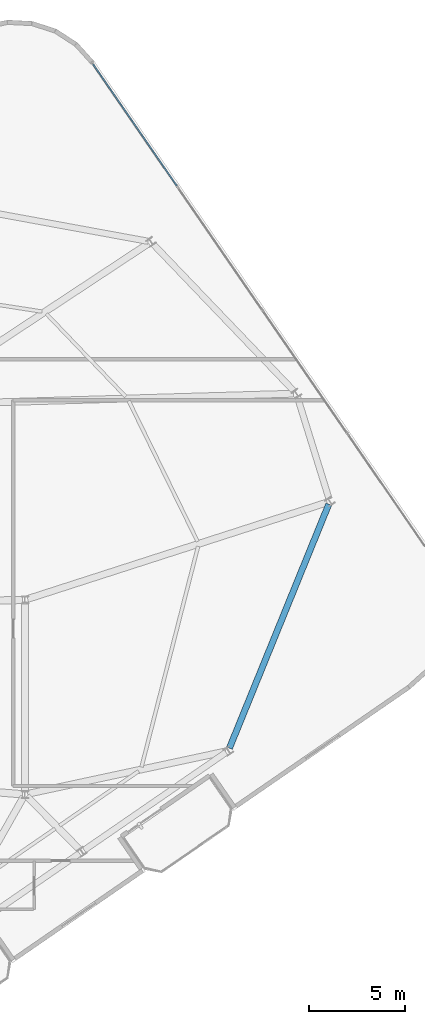
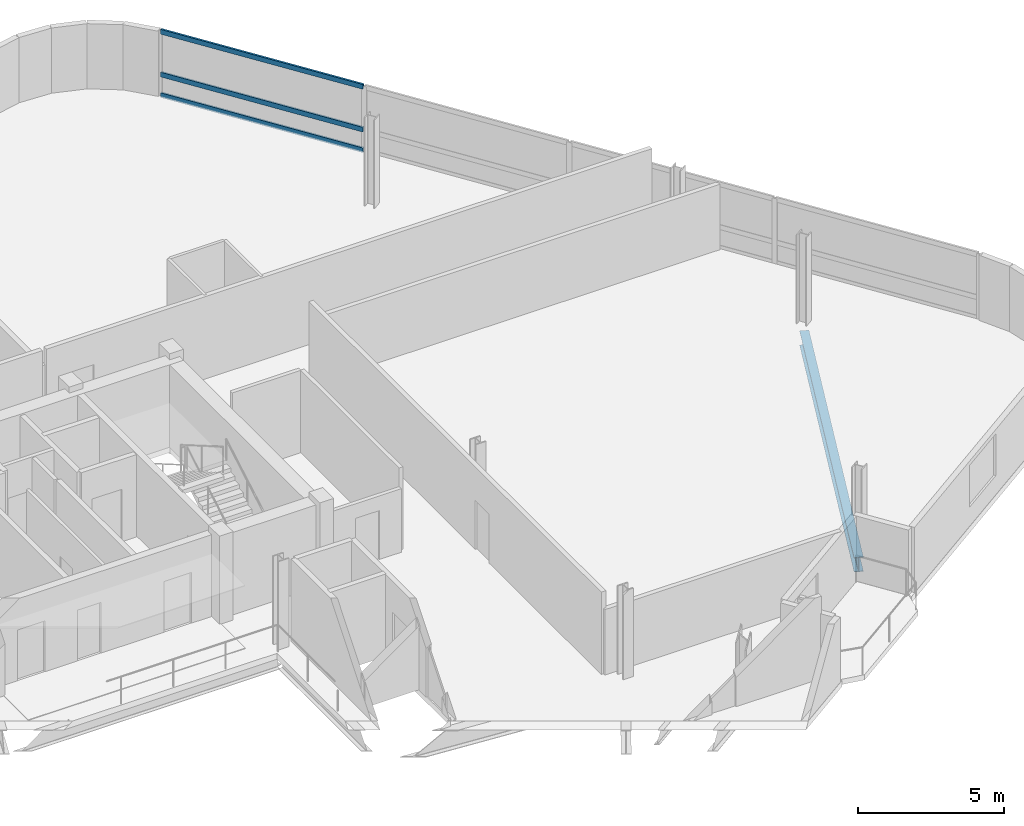
# One storey, part 10 of 21: 3 members, 1 beam, 1 element without a shape of its own.
"""IFC4 building model written with IfcOpenShell, lengths in metres."""

from ifc_helpers import new_model, si_unit, direction, frame, origin, origin_2d, place, context, subcontext, project, spatial, hollow_rectangle, i_section, extrude, material, layer, layer_set, material_profile, profile_set, type_object, element, aggregate, save


model = new_model("IFC4")

# Units and contexts
model_context = context("Model", 3, precision=1e-05, world=origin(), true_north=direction((0.0, 1.0)))
body_context = subcontext(model_context, "Body", "Model", "MODEL_VIEW")
ifc_project = project(units=[si_unit("LENGTHUNIT", "METRE"), si_unit("AREAUNIT", "SQUARE_METRE"), si_unit("VOLUMEUNIT", "CUBIC_METRE"), si_unit("PLANEANGLEUNIT", "RADIAN"), si_unit("MASSUNIT", "GRAM", prefix="KILO")], contexts=[model_context])

# Site, building, storey
site_placement = place(None, origin())
site = spatial("IfcSite", under=ifc_project, at=site_placement, CompositionType="ELEMENT")
building_placement = place(site_placement, origin())
building = spatial("IfcBuilding", under=site, at=building_placement, Name="Varnelok Gate Tower", CompositionType="ELEMENT")
storey_placement = place(building_placement, frame((0.0, 0.0, 261.89990234375)))
storey = spatial("IfcBuildingStorey", under=building, at=storey_placement, Name="L67", CompositionType="ELEMENT", Elevation=261.89990234375)

# Beam
ifc_material_1 = material(Name="Structural Steel ASTM A992 Grade 50", Category="steel")
ifc_material_profile_1 = material_profile(ifc_material_1, i_section(OverallWidth=0.323974609375, OverallDepth=0.611083984375, WebThickness=0.0126953125, FlangeThickness=0.01904296875, FilletRadius=0.01806640625, at=origin_2d()), Name="W24X104")
ifc_profile_set_1 = profile_set([ifc_material_profile_1], Name="Structural Steel ASTM A992 Grade 50")
beam_type = type_object("IfcBeamType", Name="BM-SPN-W24X104", PredefinedType="SPANDREL", material=ifc_profile_set_1)
beam_placement = place(storey_placement, frame((64.634765625, 21.20849609375, -0.555419921875), z_axis=(0.377167779659, 0.926144948692, 0.0), x_axis=(-0.926144948692, 0.377167779659, 0.0)))
element("IfcBeam", 1, at=beam_placement, inside=storey, type_object=beam_type, Name="L67 Perimeter Spandrel Beam 5", PredefinedType="SPANDREL", context=body_context, shape_type="SweptSolid", body=[
    extrude(i_section(OverallWidth=0.323974609375, OverallDepth=0.611083984375, WebThickness=0.0126953125, FlangeThickness=0.01904296875, FilletRadius=0.01806640625, at=origin_2d()), origin(), (0.0, 0.0, 1.0), 13.695556640625),
])

# Curtain wall, members
ifc_material_2 = material(Name="Anodized Aluminum Alloy 6063-T6", Category="aluminium")
ifc_layer = layer(ifc_material_2, 0.179931640625)
ifc_layer_set = layer_set([ifc_layer], Name="Anodized Aluminum Alloy 6063-T6")
curtain_wall_type = type_object("IfcCurtainWallType", Name="CW4-RESIDENCE-VISION", PredefinedType="USERDEFINED", material=ifc_layer_set)
curtain_wall_placement = place(storey_placement, origin())
curtain_wall = element("IfcCurtainWall", 2, at=curtain_wall_placement, inside=storey, type_object=curtain_wall_type, Name="L67 East End Vision Curtain Wall", ObjectType="UNITISED CURTAIN WALL", PredefinedType="USERDEFINED")
ifc_material_profile_2 = material_profile(ifc_material_2, hollow_rectangle(XDim=0.074951171875, YDim=0.199951171875, WallThickness=0.00390625, at=origin_2d()), Name="ALU200X75X4")
ifc_profile_set_2 = profile_set([ifc_material_profile_2], Name="Anodized Aluminum Alloy 6063-T6")
member_type = type_object("IfcMemberType", Name="CW-TRAN-200", PredefinedType="USERDEFINED", material=ifc_profile_set_2)
member_1_placement = place(storey_placement, frame((57.536865234375, 56.782470703125, 0.03759765625), z_axis=(0.567271254331, -0.823531009744, 0.0), x_axis=(0.823531009744, 0.567271254331, 0.0)))
member_1 = element("IfcMember", 3, at=member_1_placement, type_object=member_type, Name="CW4 transom 1.1", ObjectType="TRANSOM", PredefinedType="USERDEFINED", context=body_context, shape_type="SweptSolid", body=[
    extrude(hollow_rectangle(XDim=0.074951171875, YDim=0.199951171875, WallThickness=0.00390625, at=origin_2d()), origin(), (0.0, 0.0, 1.0), 7.6875),
])
member_2_placement = place(storey_placement, frame((57.536865234375, 56.782470703125, 0.900146484375), z_axis=(0.567271254331, -0.823531009744, 0.0), x_axis=(0.823531009744, 0.567271254331, 0.0)))
member_2 = element("IfcMember", 4, at=member_2_placement, type_object=member_type, Name="CW4 transom 1.2", ObjectType="TRANSOM", PredefinedType="USERDEFINED", context=body_context, shape_type="SweptSolid", body=[
    extrude(hollow_rectangle(XDim=0.074951171875, YDim=0.199951171875, WallThickness=0.00390625, at=origin_2d()), origin(), (0.0, 0.0, 1.0), 7.6875),
])
member_3_placement = place(storey_placement, frame((57.536865234375, 56.782470703125, 2.692626953125), z_axis=(0.567271254331, -0.823531009744, 0.0), x_axis=(0.823531009744, 0.567271254331, 0.0)))
member_3 = element("IfcMember", 5, at=member_3_placement, type_object=member_type, Name="CW4 transom 1.3", ObjectType="TRANSOM", PredefinedType="USERDEFINED", context=body_context, shape_type="SweptSolid", body=[
    extrude(hollow_rectangle(XDim=0.074951171875, YDim=0.199951171875, WallThickness=0.00390625, at=origin_2d()), origin(), (0.0, 0.0, 1.0), 7.6875),
])
aggregate(curtain_wall, [member_1, member_2, member_3])

save(model, "model.ifc")
